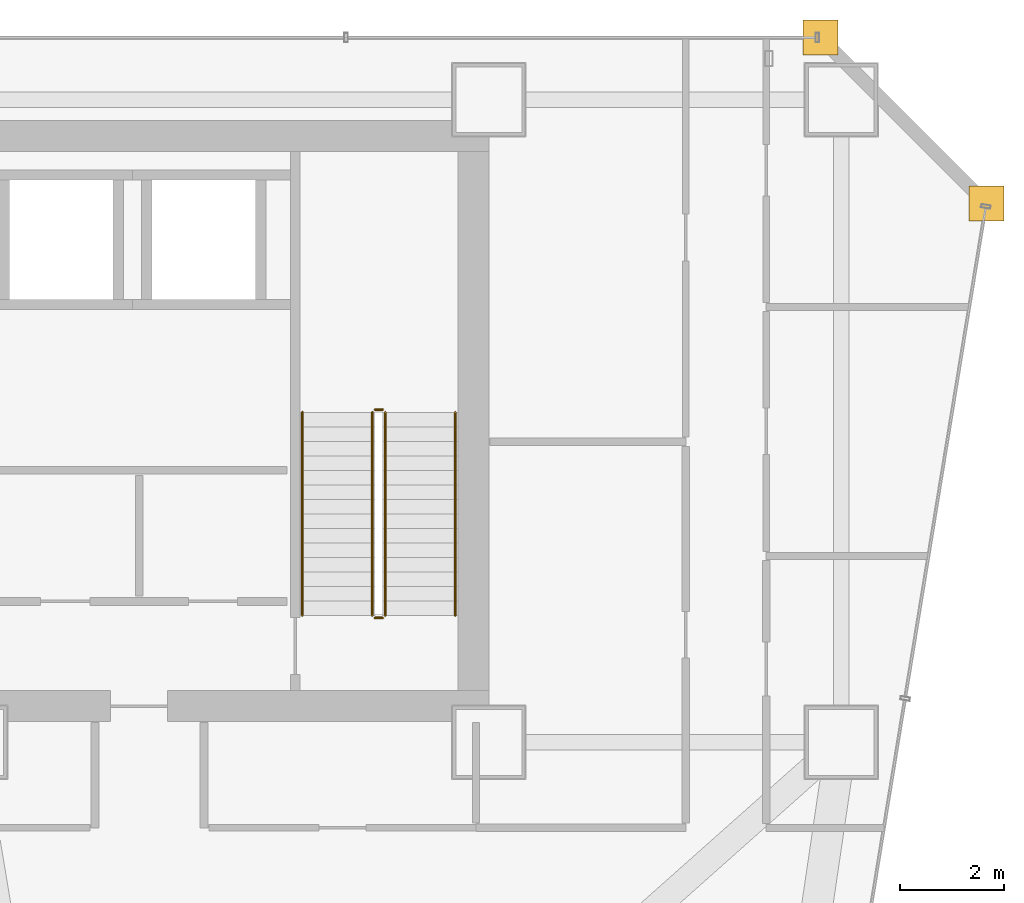
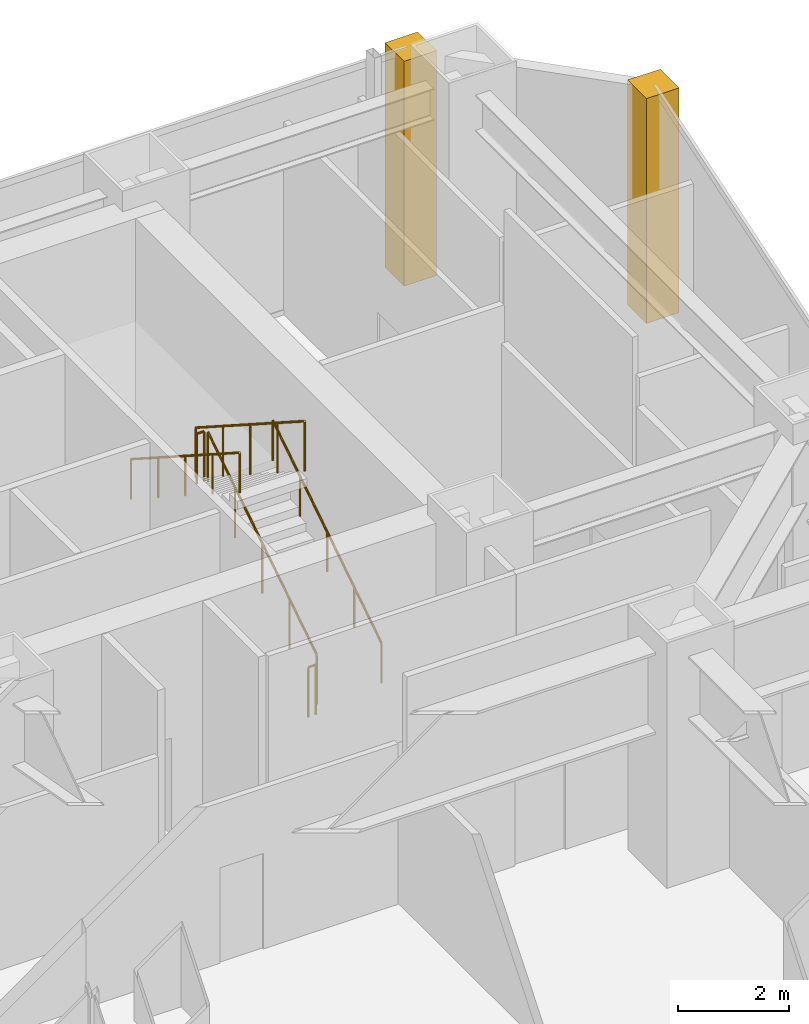
# One storey, part 42 of 42: 6 railings, 2 coverings.
"""IFC4 building model written with IfcOpenShell, lengths in metres."""

import ifcopenshell
import ifcopenshell.guid

model = None  # the IFC model being written
_history = None  # IfcOwnerHistory: only IFC2X3 demands one
_inside = {}  # id of a spatial element -> (the spatial element, [elements in it])
_under = {}  # id of a project, library or spatial element -> (it, [spatial elements below it])
_declared = {}  # id of a project -> (the project, [libraries it declares])
_typed = {}  # id of a type object -> (the type object, [elements of that type])
_made_of = {}  # id of a material, layer set ... -> (it, [elements and type objects made of it])


def new_model(schema):
    """Start an empty IFC model of exactly this schema.

    Asked for "IFC4X3", IfcOpenShell would pick the latest addendum, in which some entities
    have other attributes; the version numbers below select the first issue.
    IFC2X3 requires an IfcOwnerHistory on every rooted entity: one is made here for all.
    """
    global model, _history
    if schema == "IFC4X3":
        model = ifcopenshell.file(schema_version=(4, 3, 0, 0))
    else:
        model = ifcopenshell.file(schema=schema)
    _inside.clear()
    _under.clear()
    _declared.clear()
    _typed.clear()
    _made_of.clear()
    _history = None
    if model.schema == "IFC2X3":
        org = make("IfcOrganization", Name="unknown")
        user = make(
            "IfcPersonAndOrganization",
            ThePerson=make("IfcPerson", FamilyName="unknown"),
            TheOrganization=org,
        )
        app = make(
            "IfcApplication",
            ApplicationDeveloper=org,
            Version="unknown",
            ApplicationFullName="unknown",
            ApplicationIdentifier="unknown",
        )
        _history = make(
            "IfcOwnerHistory",
            OwningUser=user,
            OwningApplication=app,
            ChangeAction="ADDED",
            CreationDate=0,
        )
    return model


def make(cls, **values):
    """One entity of the class cls with the attributes given. An attribute that is None is left unset."""
    return model.create_entity(
        cls, **{name: value for name, value in values.items() if value is not None}
    )


def rooted(cls, **values):
    """An entity with a GlobalId (a new one), such as an element, a storey or a relation."""
    return make(cls, GlobalId=ifcopenshell.guid.new(), OwnerHistory=_history, **values)


def si_unit(unit_type, name, prefix=None):
    """IfcSIUnit, for example si_unit("LENGTHUNIT", "METRE", prefix="MILLI")."""
    return make("IfcSIUnit", UnitType=unit_type, Prefix=prefix, Name=name)


def assignment(units):
    """IfcUnitAssignment: the units of a project."""
    return None if units is None else make("IfcUnitAssignment", Units=units)


def point(xyz):
    """IfcCartesianPoint."""
    return None if xyz is None else make("IfcCartesianPoint", Coordinates=xyz)


def direction(xyz):
    """IfcDirection."""
    return None if xyz is None else make("IfcDirection", DirectionRatios=xyz)


def frame(location, z_axis=None, x_axis=None):
    """IfcAxis2Placement3D, a coordinate frame: its origin and axes. An axis left out is left unset."""
    return make(
        "IfcAxis2Placement3D",
        Location=point(location),
        Axis=direction(z_axis),
        RefDirection=direction(x_axis),
    )


def frame_2d(location, x_axis=None):
    """IfcAxis2Placement2D, a coordinate frame in the plane: its origin and x axis."""
    return make(
        "IfcAxis2Placement2D", Location=point(location), RefDirection=direction(x_axis)
    )


def origin():
    """The frame at (0, 0, 0) with its axes left unset."""
    return frame((0.0, 0.0, 0.0))


def origin_2d():
    """The frame at (0, 0) in the plane with its x axis left unset."""
    return frame_2d((0.0, 0.0))


def place(relative_to, where):
    """IfcLocalPlacement: puts the frame where relative to a parent placement (None: the world)."""
    return make(
        "IfcLocalPlacement", PlacementRelTo=relative_to, RelativePlacement=where
    )


def context(
    kind, dimensions, precision=None, world=None, true_north=None, identifier=None
):
    """IfcGeometricRepresentationContext, for example the 3D "Model" context."""
    return make(
        "IfcGeometricRepresentationContext",
        ContextIdentifier=identifier,
        ContextType=kind,
        CoordinateSpaceDimension=dimensions,
        Precision=precision,
        WorldCoordinateSystem=world,
        TrueNorth=true_north,
    )


def subcontext(parent, identifier, kind, view, scale=None):
    """IfcGeometricRepresentationSubContext, for example "Body" below "Model"."""
    return make(
        "IfcGeometricRepresentationSubContext",
        ContextIdentifier=identifier,
        ContextType=kind,
        ParentContext=parent,
        TargetScale=scale,
        TargetView=view,
    )


def project(units=None, contexts=None):
    """IfcProject with its units and contexts."""
    return rooted(
        "IfcProject",
        Name="project",
        RepresentationContexts=contexts,
        UnitsInContext=assignment(units),
    )


def spatial(cls, under=None, at=None, **own):
    """A site, building, storey or space (cls), placed at a placement, below another one or the project."""
    s = rooted(cls, ObjectPlacement=at, **own)
    if under is not None:
        _under.setdefault(under.id(), (under, []))[1].append(s)
    return s


def polyline(points):
    """IfcPolyline through the points."""
    return make("IfcPolyline", Points=[point(p) for p in points])


def profile(cls, at=None, kind="AREA", **sizes):
    """A parametric profile (cls). Its sizes go by their IFC names, for example OverallWidth=200.0."""
    return make(cls, ProfileType=kind, Position=at, **sizes)


def circle(**sizes):
    """IfcCircleProfileDef."""
    return profile("IfcCircleProfileDef", **sizes)


def outline(outer, holes=None, kind="AREA"):
    """IfcArbitraryClosedProfileDef: a profile drawn as a closed curve; with holes, ...WithVoids."""
    if holes is None:
        return make("IfcArbitraryClosedProfileDef", ProfileType=kind, OuterCurve=outer)
    return make(
        "IfcArbitraryProfileDefWithVoids",
        ProfileType=kind,
        OuterCurve=outer,
        InnerCurves=holes,
    )


def extrude(swept, where, along, depth):
    """IfcExtrudedAreaSolid: the profile swept, set in the frame where, extruded along a direction by depth."""
    return make(
        "IfcExtrudedAreaSolid",
        SweptArea=swept,
        Position=where,
        ExtrudedDirection=direction(along),
        Depth=depth,
    )


def shape(context_of_items, identifier, shape_type, items):
    """IfcShapeRepresentation: the items that make up one representation, for example the "Body"."""
    return make(
        "IfcShapeRepresentation",
        ContextOfItems=context_of_items,
        RepresentationIdentifier=identifier,
        RepresentationType=shape_type,
        Items=items,
    )


def material(Name=None, Category=None):
    """IfcMaterial."""
    return make("IfcMaterial", Name=Name, Category=Category)


def layer(
    of_material, thickness, ventilated=None, Name=None, Category=None, Priority=None
):
    """IfcMaterialLayer: one layer of a wall or slab, of a material (None: an air gap)."""
    return make(
        "IfcMaterialLayer",
        Material=of_material,
        LayerThickness=thickness,
        IsVentilated=ventilated,
        Name=Name,
        Category=Category,
        Priority=Priority,
    )


def layer_set(layers, Name=None):
    """IfcMaterialLayerSet."""
    return make("IfcMaterialLayerSet", MaterialLayers=layers, LayerSetName=Name)


def made_of(thing, what):
    """Note that an element or type object is made of a material, layer set ...; save() writes the relation."""
    if what is not None:
        _made_of.setdefault(what.id(), (what, []))[1].append(thing)
    return thing


def type_object(cls, material=None, **own):
    """A type object (cls), such as IfcWallType, which elements share."""
    return made_of(rooted(cls, **own), material)


def element(
    cls,
    number,
    at=None,
    inside=None,
    cuts=None,
    type_object=None,
    material=None,
    context=None,
    identifier="Body",
    shape_type=None,
    held_by="IfcProductDefinitionShape",
    body=None,
    shapes=None,
    **own,
):
    """One element of the class cls, such as IfcWall. Its Tag is "e" and its number.

    at: its placement. inside: the storey or other place that contains it. cuts: it is an
    opening in that element (IfcRelVoidsElement). A single representation is given by context,
    identifier, shape_type and body (its items); several are given by shapes. held_by: the class
    of the entity that holds the representations. save() writes the other relations.
    """
    e = rooted(cls, Tag="e%d" % number, ObjectPlacement=at, **own)
    if body is not None:
        shapes = [shape(context, identifier, shape_type, body)]
    if shapes is not None:
        e.Representation = make(held_by, Representations=shapes)
    if inside is not None:
        _inside.setdefault(inside.id(), (inside, []))[1].append(e)
    if cuts is not None:
        rooted(
            "IfcRelVoidsElement", RelatingBuildingElement=cuts, RelatedOpeningElement=e
        )
    if type_object is not None:
        _typed.setdefault(type_object.id(), (type_object, []))[1].append(e)
    return made_of(e, material)


def aggregate(whole, parts):
    """IfcRelAggregates: a whole, such as a stair, and the parts it consists of."""
    return rooted("IfcRelAggregates", RelatingObject=whole, RelatedObjects=parts)


def save(model, path):
    """Write the relations noted so far, then the file.

    IfcRelAggregates (storeys below a building ...), IfcRelContainedInSpatialStructure (elements
    in a storey), IfcRelDefinesByType, IfcRelAssociatesMaterial and IfcRelDeclares: one each for
    every whole, place, type object, material and project.
    """
    for whole, parts in _under.values():
        aggregate(whole, parts)
    for where, things in _inside.values():
        rooted(
            "IfcRelContainedInSpatialStructure",
            RelatedElements=things,
            RelatingStructure=where,
        )
    for kind, things in _typed.values():
        rooted("IfcRelDefinesByType", RelatedObjects=things, RelatingType=kind)
    for what, things in _made_of.values():
        rooted("IfcRelAssociatesMaterial", RelatedObjects=things, RelatingMaterial=what)
    for by, libraries in _declared.values():
        rooted("IfcRelDeclares", RelatingContext=by, RelatedDefinitions=libraries)
    model.write(path)


model = new_model("IFC4")

# Units and contexts
model_context = context("Model", 3, precision=1e-05, world=origin(), true_north=direction((0.0, 1.0)))
body_context = subcontext(model_context, "Body", "Model", "MODEL_VIEW")
ifc_project = project(units=[si_unit("LENGTHUNIT", "METRE"), si_unit("AREAUNIT", "SQUARE_METRE"), si_unit("VOLUMEUNIT", "CUBIC_METRE"), si_unit("PLANEANGLEUNIT", "RADIAN"), si_unit("MASSUNIT", "GRAM", prefix="KILO")], contexts=[model_context])

# Site, building, storey
site_placement = place(None, origin())
site = spatial("IfcSite", under=ifc_project, at=site_placement, CompositionType="ELEMENT")
building_placement = place(site_placement, origin())
building = spatial("IfcBuilding", under=site, at=building_placement, Name="Saevonmaru Cultural Tower", CompositionType="ELEMENT")
storey_placement = place(building_placement, frame((0.0, 0.0, 33.0)))
storey = spatial("IfcBuildingStorey", under=building, at=storey_placement, Name="L06", CompositionType="ELEMENT", Elevation=33.0)

# Coverings
ifc_material_1 = material(Name="Satin Bronze Anodised Aluminium", Category="aluminium")
ifc_layer = layer(ifc_material_1, 0.679931640625, Name="Satin Bronze Anodised Aluminium")
ifc_layer_set = layer_set([ifc_layer], Name="Satin Bronze Anodised Aluminium")
covering_type = type_object("IfcCoveringType", Name="CV-CORNER-CLAD", PredefinedType="CLADDING", material=ifc_layer_set)
covering_1_placement = place(storey_placement, origin())
element("IfcCovering", 1, at=covering_1_placement, inside=storey, type_object=covering_type, Name="L06 Tower Bronze Corner Cladding Pier 9", PredefinedType="CLADDING", context=body_context, shape_type="SweptSolid", body=[
    extrude(outline(polyline([(55.659912109375, 52.4599609375), (56.340087890625, 52.4599609375), (56.340087890625, 53.139892578125), (55.659912109375, 53.139892578125), (55.659912109375, 52.4599609375)])), origin(), (0.0, 0.0, 1.0), 4.949951171875),
])
covering_2_placement = place(storey_placement, origin())
element("IfcCovering", 2, at=covering_2_placement, inside=storey, type_object=covering_type, Name="L06 Tower Bronze Corner Cladding Pier 10", PredefinedType="CLADDING", context=body_context, shape_type="SweptSolid", body=[
    extrude(outline(polyline([(52.4599609375, 55.659912109375), (53.139892578125, 55.659912109375), (53.139892578125, 56.340087890625), (52.4599609375, 56.340087890625), (52.4599609375, 55.659912109375)])), origin(), (0.0, 0.0, 1.0), 4.949951171875),
])

# Railings
ifc_material_2 = material(Name="Architectural Painted Steel", Category="steel")
railing_type_1 = type_object("IfcRailingType", Name="RL-STAIR-GUARD", PredefinedType="GUARDRAIL", material=ifc_material_2)
railing_1_placement = place(storey_placement, frame((44.39990234375, 44.85009765625, 0.179931640625)))
element("IfcRailing", 3, at=railing_1_placement, inside=storey, type_object=railing_type_1, Name="L06 ST-2 stair guard 1", PredefinedType="GUARDRAIL", context=body_context, shape_type="SweptSolid", body=[
    extrude(circle(Radius=0.02392578125, at=origin_2d()), frame((0.0, 0.0, 1.09619140625), z_axis=(0.0, 0.841171666519, 0.540768182723), x_axis=(-1.0, 0.0, 0.0)), (0.0, 0.0, 1.0), 4.66015625),
    extrude(circle(Radius=0.02099609375, at=origin_2d()), origin(), (0.0, 0.0, 1.0), 1.072021484375),
    extrude(circle(Radius=0.02099609375, at=origin_2d()), frame((0.0, 0.97998046875, 0.6298828125)), (0.0, 0.0, 1.0), 1.072021484375),
    extrude(circle(Radius=0.02099609375, at=origin_2d()), frame((0.0, 1.9599609375, 1.260009765625)), (0.0, 0.0, 1.0), 1.072021484375),
    extrude(circle(Radius=0.02099609375, at=origin_2d()), frame((0.0, 2.93994140625, 1.89013671875)), (0.0, 0.0, 1.0), 1.072021484375),
    extrude(circle(Radius=0.02099609375, at=origin_2d()), frame((0.0, 3.919921875, 2.52001953125)), (0.0, 0.0, 1.0), 1.072021484375),
])
railing_2_placement = place(storey_placement, frame((44.35009765625, 48.820068359375, 2.699951171875)))
element("IfcRailing", 4, at=railing_2_placement, inside=storey, type_object=railing_type_1, Name="L06 ST-2 stair guard 2", PredefinedType="GUARDRAIL", context=body_context, shape_type="SweptSolid", body=[
    extrude(circle(Radius=0.02392578125, at=origin_2d()), frame((0.0, 0.0, 1.09619140625), z_axis=(-1.0, 0.0, 0.0), x_axis=(0.0, -1.0, 0.0)), (0.0, 0.0, 1.0), 0.150146484375),
    extrude(circle(Radius=0.02099609375, at=origin_2d()), origin(), (0.0, 0.0, 1.0), 1.072021484375),
    extrude(circle(Radius=0.02099609375, at=origin_2d()), frame((-0.150146484375, 0.0, 0.0)), (0.0, 0.0, 1.0), 1.072021484375),
])
railing_3_placement = place(storey_placement, frame((44.14990234375, 48.77001953125, 2.8798828125)))
element("IfcRailing", 5, at=railing_3_placement, inside=storey, type_object=railing_type_1, Name="L06 ST-2 stair guard 3", PredefinedType="GUARDRAIL", context=body_context, shape_type="SweptSolid", body=[
    extrude(circle(Radius=0.02392578125, at=origin_2d()), frame((0.0, 0.0, 1.09619140625), z_axis=(0.0, -0.841171666519, 0.540768182723), x_axis=(1.0, 0.0, 0.0)), (0.0, 0.0, 1.0), 4.66015625),
    extrude(circle(Radius=0.02099609375, at=origin_2d()), origin(), (0.0, 0.0, 1.0), 1.072021484375),
    extrude(circle(Radius=0.02099609375, at=origin_2d()), frame((0.0, -0.97998046875, 0.6298828125)), (0.0, 0.0, 1.0), 1.072021484375),
    extrude(circle(Radius=0.02099609375, at=origin_2d()), frame((0.0, -1.9599609375, 1.260009765625)), (0.0, 0.0, 1.0), 1.072021484375),
    extrude(circle(Radius=0.02099609375, at=origin_2d()), frame((0.0, -2.93994140625, 1.89013671875)), (0.0, 0.0, 1.0), 1.072021484375),
    extrude(circle(Radius=0.02099609375, at=origin_2d()), frame((0.0, -3.919921875, 2.52001953125)), (0.0, 0.0, 1.0), 1.072021484375),
])
railing_4_placement = place(storey_placement, frame((44.35009765625, 44.800048828125, 0.0)))
element("IfcRailing", 6, at=railing_4_placement, inside=storey, type_object=railing_type_1, Name="L06 ST-2 stair guard 4", PredefinedType="GUARDRAIL", context=body_context, shape_type="SweptSolid", body=[
    extrude(circle(Radius=0.02392578125, at=origin_2d()), frame((0.0, 0.0, 1.09619140625), z_axis=(-1.0, 0.0, 0.0), x_axis=(0.0, -1.0, 0.0)), (0.0, 0.0, 1.0), 0.150146484375),
    extrude(circle(Radius=0.02099609375, at=origin_2d()), origin(), (0.0, 0.0, 1.0), 1.072021484375),
    extrude(circle(Radius=0.02099609375, at=origin_2d()), frame((-0.150146484375, 0.0, 0.0)), (0.0, 0.0, 1.0), 1.072021484375),
])
railing_type_2 = type_object("IfcRailingType", Name="RL-STAIR-HANDRAIL", PredefinedType="HANDRAIL", material=ifc_material_1)
railing_5_placement = place(storey_placement, frame((45.75, 44.85009765625, 0.179931640625)))
element("IfcRailing", 7, at=railing_5_placement, inside=storey, type_object=railing_type_2, Name="L06 ST-2 stair handrail 1", PredefinedType="HANDRAIL", context=body_context, shape_type="SweptSolid", body=[
    extrude(circle(Radius=0.02392578125, at=origin_2d()), frame((0.0, 0.0, 0.8759765625), z_axis=(0.0, 0.841171666519, 0.540768182723), x_axis=(-1.0, 0.0, 0.0)), (0.0, 0.0, 1.0), 4.66015625),
    extrude(circle(Radius=0.02099609375, at=origin_2d()), origin(), (0.0, 0.0, 1.0), 0.851806640625),
    extrude(circle(Radius=0.02099609375, at=origin_2d()), frame((0.0, 0.97998046875, 0.6298828125)), (0.0, 0.0, 1.0), 0.851806640625),
    extrude(circle(Radius=0.02099609375, at=origin_2d()), frame((0.0, 1.9599609375, 1.260009765625)), (0.0, 0.0, 1.0), 0.851806640625),
    extrude(circle(Radius=0.02099609375, at=origin_2d()), frame((0.0, 2.93994140625, 1.89013671875)), (0.0, 0.0, 1.0), 0.851806640625),
    extrude(circle(Radius=0.02099609375, at=origin_2d()), frame((0.0, 3.919921875, 2.52001953125)), (0.0, 0.0, 1.0), 0.851806640625),
])
railing_6_placement = place(storey_placement, frame((42.800048828125, 48.77001953125, 2.8798828125)))
element("IfcRailing", 8, at=railing_6_placement, inside=storey, type_object=railing_type_2, Name="L06 ST-2 stair handrail 2", PredefinedType="HANDRAIL", context=body_context, shape_type="SweptSolid", body=[
    extrude(circle(Radius=0.02392578125, at=origin_2d()), frame((0.0, 0.0, 0.8759765625), z_axis=(0.0, -0.841171666519, 0.540768182723), x_axis=(1.0, 0.0, 0.0)), (0.0, 0.0, 1.0), 4.66015625),
    extrude(circle(Radius=0.02099609375, at=origin_2d()), origin(), (0.0, 0.0, 1.0), 0.851806640625),
    extrude(circle(Radius=0.02099609375, at=origin_2d()), frame((0.0, -0.97998046875, 0.6298828125)), (0.0, 0.0, 1.0), 0.851806640625),
    extrude(circle(Radius=0.02099609375, at=origin_2d()), frame((0.0, -1.9599609375, 1.260009765625)), (0.0, 0.0, 1.0), 0.851806640625),
    extrude(circle(Radius=0.02099609375, at=origin_2d()), frame((0.0, -2.93994140625, 1.89013671875)), (0.0, 0.0, 1.0), 0.851806640625),
    extrude(circle(Radius=0.02099609375, at=origin_2d()), frame((0.0, -3.919921875, 2.52001953125)), (0.0, 0.0, 1.0), 0.851806640625),
])

save(model, "model.ifc")
